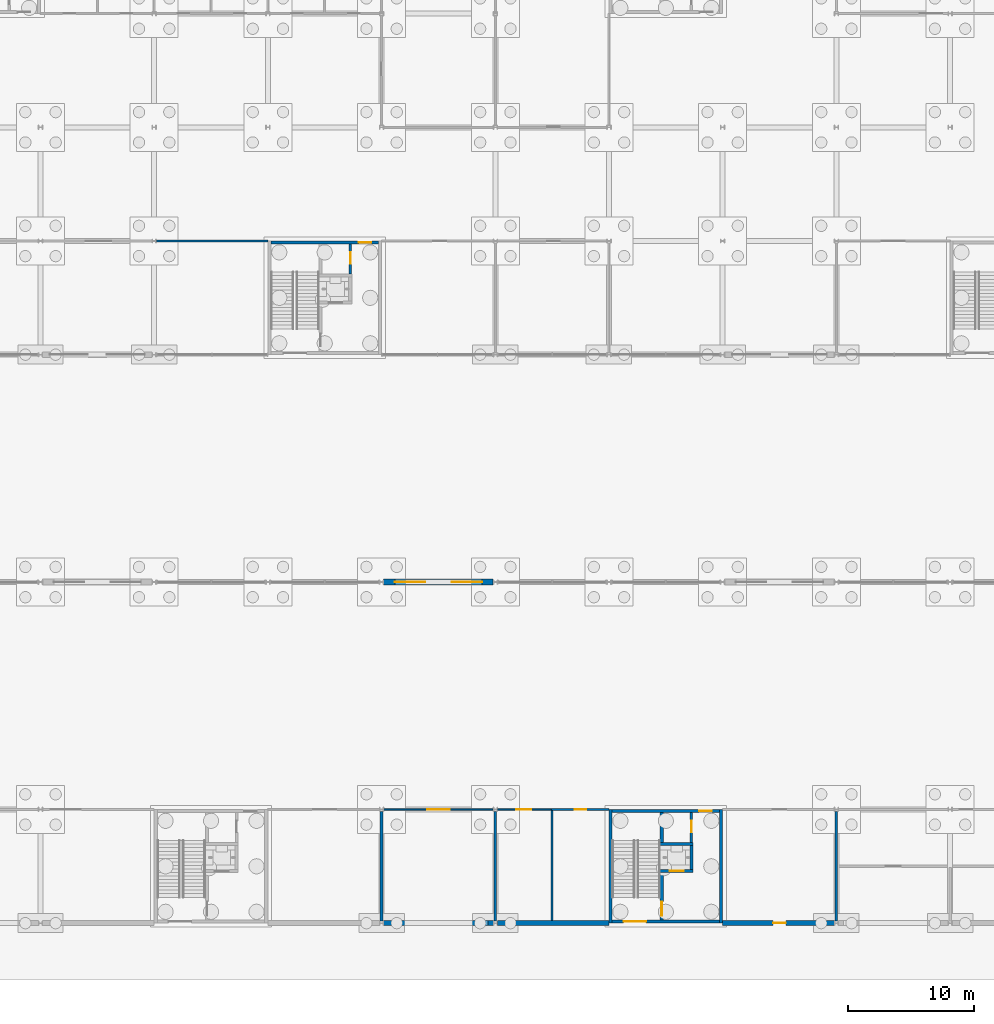
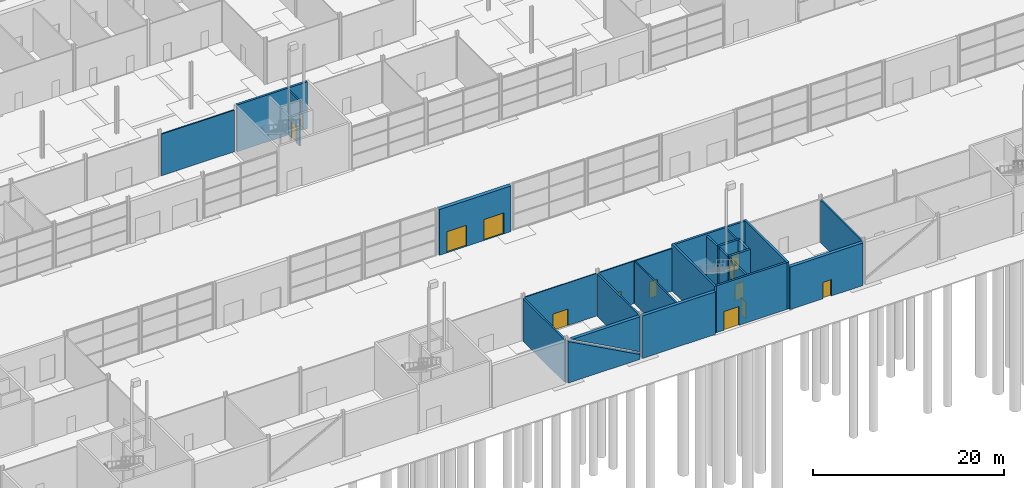
# One storey, part 63 of 97: 24 walls, 13 doors, 13 openings.
"""IFC4 building model written with IfcOpenShell, lengths in metres."""

from ifc_helpers import new_model, si_unit, direction, frame, frame_2d, origin, place, context, subcontext, project, spatial, polyline, rectangle, outline, extrude, material, layer, layer_set, type_object, element, fill, save


model = new_model("IFC4")

# Units and contexts
model_context = context("Model", 3, precision=1e-05, world=origin(), true_north=direction((0.0, 1.0)))
body_context = subcontext(model_context, "Body", "Model", "MODEL_VIEW")
ifc_project = project(units=[si_unit("LENGTHUNIT", "METRE"), si_unit("AREAUNIT", "SQUARE_METRE"), si_unit("VOLUMEUNIT", "CUBIC_METRE"), si_unit("PLANEANGLEUNIT", "RADIAN"), si_unit("MASSUNIT", "GRAM", prefix="KILO")], contexts=[model_context])

# Site, building, storey
site_placement = place(None, origin())
site = spatial("IfcSite", under=ifc_project, at=site_placement, CompositionType="ELEMENT")
building_placement = place(site_placement, origin())
building = spatial("IfcBuilding", under=site, at=building_placement, Name="Corbel Yard City Hall", CompositionType="ELEMENT")
storey_placement = place(building_placement, origin())
storey = spatial("IfcBuildingStorey", under=building, at=storey_placement, Name="L00", CompositionType="ELEMENT", Elevation=0.0)

# Walls
ifc_material_1 = material(Name="Concrete N50 (50 MPa)", Category="concrete")
ifc_layer_1 = layer(ifc_material_1, 0.25)
ifc_layer_set_1 = layer_set([ifc_layer_1], Name="Concrete N50 (50 MPa)")
wall_type_1 = type_object("IfcWallType", Name="Core cell wall 250", PredefinedType="SHEAR", material=ifc_layer_set_1)
for number, where, z_axis, x_axis, name in (
    (1, (81.125, 0.0, 0.0), (0.0, 0.0, 1.0), (0.0, 1.0, 0.0), "Core PC-S2 west wall"),
    (2, (89.875, 0.0, 0.0), (0.0, 0.0, 1.0), (0.0, 1.0, 0.0), "Core PC-S2 east wall"),
):
    element("IfcWall", number, at=place(storey_placement, frame(where, z_axis=z_axis, x_axis=x_axis)), inside=storey, type_object=wall_type_1, Name=name, PredefinedType="SHEAR", context=body_context, shape_type="SweptSolid", body=[
        extrude(rectangle(XDim=9.0, YDim=0.25, at=frame_2d((4.5, 0.0))), origin(), (0.0, 0.0, 1.0), 6.0),
    ])

# Wall, opening, door
wall_1_placement = place(storey_placement, frame((81.25, 0.125, 0.0), z_axis=(0.0, 0.0, 1.0), x_axis=(1.0, 0.0, 0.0)))
wall_1 = element("IfcWall", 3, at=wall_1_placement, inside=storey, type_object=wall_type_1, Name="Core PC-S2 south wall", PredefinedType="SHEAR", context=body_context, shape_type="SweptSolid", body=[
    extrude(rectangle(XDim=8.5, YDim=0.25, at=frame_2d((4.25, 0.0))), origin(), (0.0, 0.0, 1.0), 6.0),
])
opening_1_placement = place(wall_1_placement, frame((0.89990234375, 0.0, 0.0)))
opening_1 = element("IfcOpeningElement", 4, at=opening_1_placement, cuts=wall_1, Name="Opening L00-032", PredefinedType="OPENING", context=body_context, shape_type="SweptSolid", body=[
    extrude(rectangle(XDim=1.800048828125, YDim=2.39990234375, at=frame_2d((0.89990234375, 1.199951171875))), frame((0.0, 0.135009765625, 0.0), z_axis=(0.0, -1.0, 0.0), x_axis=(1.0, 0.0, 0.0)), (0.0, 0.0, 1.0), 0.27001953125),
])
ifc_material_2 = material(Name="Steel Grade G250, insulated infill", Category="steel")
door_type_1 = type_object("IfcDoorType", Name="XD2", OperationType="DOUBLE_DOOR_SINGLE_SWING", PredefinedType="DOOR", material=ifc_material_2)
door_1_placement = place(opening_1_placement, frame((1.800048828125, 0.0, 0.0), z_axis=(0.0, 0.0, 1.0), x_axis=(-1.0, 0.0, 0.0)))
door_1 = element("IfcDoor", 5, at=door_1_placement, inside=storey, type_object=door_type_1, Name="Stair exit door PC-S2", OperationType="DOUBLE_DOOR_SINGLE_SWING", OverallHeight=2.39990234375, OverallWidth=1.800048828125, PredefinedType="DOOR", context=body_context, shape_type="SweptSolid", body=[
    extrude(rectangle(XDim=1.800048828125, YDim=2.39990234375, at=frame_2d((0.89990234375, 1.199951171875))), frame((0.0, 0.02490234375, 0.0), z_axis=(0.0, -1.0, 0.0), x_axis=(1.0, 0.0, 0.0)), (0.0, 0.0, 1.0), 0.050048828125),
])
fill(opening_1, door_1)

wall_2_placement = place(storey_placement, frame((81.25, 8.875, 0.0), z_axis=(0.0, 0.0, 1.0), x_axis=(1.0, 0.0, 0.0)))
wall_2 = element("IfcWall", 6, at=wall_2_placement, inside=storey, type_object=wall_type_1, Name="Core PC-S2 north wall", PredefinedType="SHEAR", context=body_context, shape_type="SweptSolid", body=[
    extrude(rectangle(XDim=8.5, YDim=0.25, at=frame_2d((4.25, 0.0))), origin(), (0.0, 0.0, 1.0), 6.0),
])
opening_2_placement = place(wall_2_placement, frame((6.887451171875, 0.0, 0.0)))
opening_2 = element("IfcOpeningElement", 7, at=opening_2_placement, cuts=wall_2, Name="Opening L00-077", PredefinedType="OPENING", context=body_context, shape_type="SweptSolid", body=[
    extrude(rectangle(XDim=1.0, YDim=2.10009765625, at=frame_2d((0.5, 1.050048828125))), frame((0.0, 0.135009765625, 0.0), z_axis=(0.0, -1.0, 0.0), x_axis=(1.0, 0.0, 0.0)), (0.0, 0.0, 1.0), 0.27001953125),
])
ifc_material_3 = material(Name="Steel Grade G250", Category="steel")
door_type_2 = type_object("IfcDoorType", Name="FS1", OperationType="SINGLE_SWING_LEFT", PredefinedType="DOOR", material=ifc_material_3)
door_2_placement = place(opening_2_placement, frame((1.0, 0.0, 0.0), z_axis=(0.0, 0.0, 1.0), x_axis=(-1.0, 0.0, 0.0)))
door_2 = element("IfcDoor", 8, at=door_2_placement, inside=storey, type_object=door_type_2, Name="Door Lift Lobby", OperationType="SINGLE_SWING_RIGHT", OverallHeight=2.10009765625, OverallWidth=1.0, PredefinedType="DOOR", context=body_context, shape_type="SweptSolid", body=[
    extrude(rectangle(XDim=1.0, YDim=2.10009765625, at=frame_2d((0.5, 1.050048828125))), frame((0.0, 0.02490234375, 0.0), z_axis=(0.0, -1.0, 0.0), x_axis=(1.0, 0.0, 0.0)), (0.0, 0.0, 1.0), 0.050048828125),
])
fill(opening_2, door_2)

wall_3_placement = place(storey_placement, frame((54.25, 53.875, 0.0), z_axis=(0.0, 0.0, 1.0), x_axis=(1.0, 0.0, 0.0)))
wall_3 = element("IfcWall", 9, at=wall_3_placement, inside=storey, type_object=wall_type_1, Name="Core PC-M2 north wall", PredefinedType="SHEAR", context=body_context, shape_type="SweptSolid", body=[
    extrude(rectangle(XDim=8.5, YDim=0.25, at=frame_2d((4.25, 0.0))), origin(), (0.0, 0.0, 1.0), 6.0),
])
opening_3_placement = place(wall_3_placement, frame((6.949951171875, 0.0, 0.0)))
opening_3 = element("IfcOpeningElement", 10, at=opening_3_placement, cuts=wall_3, Name="Opening L00-119", PredefinedType="OPENING", context=body_context, shape_type="SweptSolid", body=[
    extrude(rectangle(XDim=1.0, YDim=2.10009765625, at=frame_2d((0.5, 1.050048828125))), frame((0.0, 0.135009765625, 0.0), z_axis=(0.0, -1.0, 0.0), x_axis=(1.0, 0.0, 0.0)), (0.0, 0.0, 1.0), 0.27001953125),
])
door_3_placement = place(opening_3_placement, frame((1.0, 0.0, 0.0), z_axis=(0.0, 0.0, 1.0), x_axis=(-1.0, 0.0, 0.0)))
door_3 = element("IfcDoor", 11, at=door_3_placement, inside=storey, type_object=door_type_2, Name="Door Lift Lobby", OperationType="SINGLE_SWING_RIGHT", OverallHeight=2.10009765625, OverallWidth=1.0, PredefinedType="DOOR", context=body_context, shape_type="SweptSolid", body=[
    extrude(rectangle(XDim=1.0, YDim=2.10009765625, at=frame_2d((0.5, 1.050048828125))), frame((0.0, 0.02490234375, 0.0), z_axis=(0.0, -1.0, 0.0), x_axis=(1.0, 0.0, 0.0)), (0.0, 0.0, 1.0), 0.050048828125),
])
fill(opening_3, door_3)

# Wall, openings, doors
ifc_material_4 = material(Name="Sandstone cladding", Category="masonry")
ifc_layer_2 = layer(ifc_material_4, 0.06005859375)
ifc_material_5 = material(Name="Air cavity", Category="air")
ifc_layer_3 = layer(ifc_material_5, 0.0400390625)
ifc_material_6 = material(Name="Concrete N40 (40 MPa)", Category="concrete")
ifc_layer_4 = layer(ifc_material_6, 0.25)
ifc_material_7 = material(Name="Mineral wool", Category="insulation")
ifc_layer_5 = layer(ifc_material_7, 0.10009765625)
ifc_layer_set_2 = layer_set([ifc_layer_2, ifc_layer_3, ifc_layer_4, ifc_layer_5], Name="Concrete N40 (40 MPa)")
wall_type_2 = type_object("IfcWallType", Name="EW2", PredefinedType="SOLIDWALL", material=ifc_layer_set_2)
wall_4_placement = place(storey_placement, frame((63.16357421875, 27.0, 0.0), z_axis=(0.0, 0.0, 1.0), x_axis=(1.0, 0.0, 0.0)))
wall_4 = element("IfcWall", 12, at=wall_4_placement, inside=storey, type_object=wall_type_2, Name="Entrance pier wall", PredefinedType="SOLIDWALL", context=body_context, shape_type="SweptSolid", body=[
    extrude(rectangle(XDim=8.6728515625, YDim=0.449951171875, at=frame_2d((4.33642578125, 0.0))), origin(), (0.0, 0.0, 1.0), 5.85009765625),
])
opening_4_placement = place(wall_4_placement, frame((0.886474609375, 0.0, 0.0)))
opening_4 = element("IfcOpeningElement", 13, at=opening_4_placement, cuts=wall_4, Name="Opening L00-003", PredefinedType="OPENING", context=body_context, shape_type="SweptSolid", body=[
    extrude(rectangle(XDim=2.39990234375, YDim=2.699951171875, at=frame_2d((1.199951171875, 1.35009765625))), frame((0.0, 0.23486328125, 0.0), z_axis=(0.0, -1.0, 0.0), x_axis=(1.0, 0.0, 0.0)), (0.0, 0.0, 1.0), 0.469970703125),
])
opening_5_placement = place(wall_4_placement, frame((5.386474609375, 0.0, 0.0)))
opening_5 = element("IfcOpeningElement", 14, at=opening_5_placement, cuts=wall_4, Name="Opening L00-004", PredefinedType="OPENING", context=body_context, shape_type="SweptSolid", body=[
    extrude(rectangle(XDim=2.39990234375, YDim=2.699951171875, at=frame_2d((1.199951171875, 1.35009765625))), frame((0.0, 0.23486328125, 0.0), z_axis=(0.0, -1.0, 0.0), x_axis=(1.0, 0.0, 0.0)), (0.0, 0.0, 1.0), 0.469970703125),
])
ifc_material_8 = material(Name="Aluminium frame, toughened laminated glass", Category="aluminium")
door_type_3 = type_object("IfcDoorType", Name="XD1", OperationType="DOUBLE_DOOR_SINGLE_SWING", PredefinedType="DOOR", material=ifc_material_8)
door_4_placement = place(opening_4_placement, origin())
door_4 = element("IfcDoor", 15, at=door_4_placement, inside=storey, type_object=door_type_3, Name="Public Hall entrance 2 door 1", OperationType="DOUBLE_DOOR_SINGLE_SWING", OverallHeight=2.699951171875, OverallWidth=2.39990234375, PredefinedType="DOOR", context=body_context, shape_type="SweptSolid", body=[
    extrude(rectangle(XDim=2.39990234375, YDim=2.699951171875, at=frame_2d((1.199951171875, 1.35009765625))), frame((0.0, 0.02490234375, 0.0), z_axis=(0.0, -1.0, 0.0), x_axis=(1.0, 0.0, 0.0)), (0.0, 0.0, 1.0), 0.050048828125),
])
fill(opening_4, door_4)
door_5_placement = place(opening_5_placement, origin())
door_5 = element("IfcDoor", 16, at=door_5_placement, inside=storey, type_object=door_type_3, Name="Public Hall entrance 2 door 2", OperationType="DOUBLE_DOOR_SINGLE_SWING", OverallHeight=2.699951171875, OverallWidth=2.39990234375, PredefinedType="DOOR", context=body_context, shape_type="SweptSolid", body=[
    extrude(rectangle(XDim=2.39990234375, YDim=2.699951171875, at=frame_2d((1.199951171875, 1.35009765625))), frame((0.0, 0.02490234375, 0.0), z_axis=(0.0, -1.0, 0.0), x_axis=(1.0, 0.0, 0.0)), (0.0, 0.0, 1.0), 0.050048828125),
])
fill(opening_5, door_5)

# Walls
ifc_material_9 = material(Name="Gypsum plasterboard", Category="gypsum")
ifc_layer_6 = layer(ifc_material_9, 0.031982421875)
ifc_layer_7 = layer(ifc_material_5, 0.133056640625)
ifc_material_10 = material(Name="Concrete block", Category="concrete")
ifc_layer_8 = layer(ifc_material_10, 0.18994140625)
ifc_material_11 = material(Name="Cement render", Category="render")
ifc_layer_9 = layer(ifc_material_11, 0.0400390625)
ifc_material_12 = material(Name="Acoustic sealant", Category="sealant")
ifc_layer_10 = layer(ifc_material_12, 0.0048828125)
ifc_layer_set_3 = layer_set([ifc_layer_6, ifc_layer_7, ifc_layer_8, ifc_layer_9, ifc_layer_10], Name="Concrete block")
wall_type_3 = type_object("IfcWallType", Name="EW3", PredefinedType="SOLIDWALL", material=ifc_layer_set_3)
wall_5_placement = place(storey_placement, frame((63.157470703125, 0.0, 0.0), z_axis=(0.0, 0.0, 1.0), x_axis=(1.0, 0.0, 0.0)))
element("IfcWall", 17, at=wall_5_placement, inside=storey, type_object=wall_type_3, Name="Acoustic wall", PredefinedType="SOLIDWALL", context=body_context, shape_type="SweptSolid", body=[
    extrude(outline(polyline([(8.68505859375, 0.0), (0.0, 0.0), (0.0, 5.322021484375), (8.610595703125, 0.662353515625), (8.68505859375, 0.800048828125), (8.68505859375, 0.0)])), frame((0.0, 0.199951171875, 0.0), z_axis=(0.0, -1.0, 0.0), x_axis=(1.0, 0.0, 0.0)), (0.0, 0.0, 1.0), 0.39990234375),
])
wall_6_placement = place(storey_placement, frame((63.157470703125, 0.0, 0.0), z_axis=(0.0, 0.0, 1.0), x_axis=(1.0, 0.0, 0.0)))
element("IfcWall", 18, at=wall_6_placement, inside=storey, type_object=wall_type_3, Name="Acoustic wall", PredefinedType="SOLIDWALL", context=body_context, shape_type="SweptSolid", body=[
    extrude(outline(polyline([(8.68505859375, 5.444091796875), (8.68505859375, 0.97802734375), (0.432373046875, 5.444091796875), (8.68505859375, 5.444091796875)])), frame((0.0, 0.199951171875, 0.0), z_axis=(0.0, -1.0, 0.0), x_axis=(1.0, 0.0, 0.0)), (0.0, 0.0, 1.0), 0.39990234375),
])
wall_7_placement = place(storey_placement, frame((72.157470703125, 0.0, 0.0), z_axis=(0.0, 0.0, 1.0), x_axis=(1.0, 0.0, 0.0)))
element("IfcWall", 19, at=wall_7_placement, inside=storey, type_object=wall_type_3, Name="Acoustic wall", PredefinedType="SOLIDWALL", context=body_context, shape_type="SweptSolid", body=[
    extrude(rectangle(XDim=8.842529296875, YDim=0.39990234375, at=frame_2d((4.42138671875, 0.0))), origin(), (0.0, 0.0, 1.0), 5.444091796875),
])

# Wall, opening, door
wall_8_placement = place(storey_placement, frame((90.0, 0.0, 0.0), z_axis=(0.0, 0.0, 1.0), x_axis=(1.0, 0.0, 0.0)))
wall_8 = element("IfcWall", 20, at=wall_8_placement, inside=storey, type_object=wall_type_3, Name="Acoustic wall", PredefinedType="SOLIDWALL", context=body_context, shape_type="SweptSolid", body=[
    extrude(rectangle(XDim=8.842529296875, YDim=0.39990234375, at=frame_2d((4.42138671875, 0.0))), origin(), (0.0, 0.0, 1.0), 5.444091796875),
])
opening_6_placement = place(wall_8_placement, frame((4.0, 0.0, 0.0)))
opening_6 = element("IfcOpeningElement", 21, at=opening_6_placement, cuts=wall_8, Name="Opening L00-035", PredefinedType="OPENING", context=body_context, shape_type="SweptSolid", body=[
    extrude(rectangle(XDim=1.0, YDim=2.10009765625, at=frame_2d((0.5, 1.050048828125))), frame((0.0, 0.2099609375, 0.0), z_axis=(0.0, -1.0, 0.0), x_axis=(1.0, 0.0, 0.0)), (0.0, 0.0, 1.0), 0.419921875),
])
door_type_4 = type_object("IfcDoorType", Name="XD3", OperationType="SINGLE_SWING_LEFT", PredefinedType="DOOR", material=ifc_material_2)
door_6_placement = place(opening_6_placement, frame((1.0, 0.0, 0.0), z_axis=(0.0, 0.0, 1.0), x_axis=(-1.0, 0.0, 0.0)))
door_6 = element("IfcDoor", 22, at=door_6_placement, inside=storey, type_object=door_type_4, Name="Fire control room door L00-035", OperationType="SINGLE_SWING_RIGHT", OverallHeight=2.10009765625, OverallWidth=1.0, PredefinedType="DOOR", context=body_context, shape_type="SweptSolid", body=[
    extrude(rectangle(XDim=1.0, YDim=2.10009765625, at=frame_2d((0.5, 1.050048828125))), frame((0.0, 0.02490234375, 0.0), z_axis=(0.0, -1.0, 0.0), x_axis=(1.0, 0.0, 0.0)), (0.0, 0.0, 1.0), 0.050048828125),
])
fill(opening_6, door_6)

ifc_layer_11 = layer(ifc_material_6, 0.25)
ifc_layer_set_4 = layer_set([ifc_layer_11], Name="Concrete N40 (40 MPa)")
wall_type_4 = type_object("IfcWallType", Name="IW2", PredefinedType="SOLIDWALL", material=ifc_layer_set_4)
wall_9_placement = place(storey_placement, frame((85.175048828125, 0.25, 0.0), z_axis=(0.0, 0.0, 1.0), x_axis=(0.0, 1.0, 0.0)))
wall_9 = element("IfcWall", 23, at=wall_9_placement, inside=storey, type_object=wall_type_4, Name="Stair enclosure wall", PredefinedType="SOLIDWALL", context=body_context, shape_type="SweptSolid", body=[
    extrude(rectangle(XDim=8.5, YDim=0.25, at=frame_2d((4.25, 0.0))), origin(), (0.0, 0.0, 1.0), 5.75),
])
opening_7_placement = place(wall_9_placement, frame((0.35009765625, 0.0, 0.0)))
opening_7 = element("IfcOpeningElement", 24, at=opening_7_placement, cuts=wall_9, Name="Opening L00-076", PredefinedType="OPENING", context=body_context, shape_type="SweptSolid", body=[
    extrude(rectangle(XDim=1.10009765625, YDim=2.10009765625, at=frame_2d((0.550048828125, 1.050048828125))), frame((0.0, 0.135009765625, 0.0), z_axis=(0.0, -1.0, 0.0), x_axis=(1.0, 0.0, 0.0)), (0.0, 0.0, 1.0), 0.27001953125),
])
door_type_5 = type_object("IfcDoorType", Name="FS11", OperationType="SINGLE_SWING_LEFT", PredefinedType="DOOR", material=ifc_material_3)
door_7_placement = place(opening_7_placement, origin())
door_7 = element("IfcDoor", 25, at=door_7_placement, inside=storey, type_object=door_type_5, Name="Door Exit Stair 3", OperationType="SINGLE_SWING_LEFT", OverallHeight=2.10009765625, OverallWidth=1.10009765625, PredefinedType="DOOR", context=body_context, shape_type="SweptSolid", body=[
    extrude(rectangle(XDim=1.10009765625, YDim=2.10009765625, at=frame_2d((0.550048828125, 1.050048828125))), frame((0.0, 0.02490234375, 0.0), z_axis=(0.0, -1.0, 0.0), x_axis=(1.0, 0.0, 0.0)), (0.0, 0.0, 1.0), 0.050048828125),
])
fill(opening_7, door_7)

wall_10_placement = place(storey_placement, frame((85.050048828125, 4.125, -1.39990234375), z_axis=(0.0, 0.0, 1.0), x_axis=(1.0, 0.0, 0.0)))
wall_10 = element("IfcWall", 26, at=wall_10_placement, inside=storey, type_object=wall_type_4, Name="Lift LP3 shaft wall", PredefinedType="SOLIDWALL", context=body_context, shape_type="SweptSolid", body=[
    extrude(rectangle(XDim=2.599853515625, YDim=0.25, at=frame_2d((1.2998046875, 0.0))), origin(), (0.0, 0.0, 1.0), 7.39990234375),
])
opening_8_placement = place(wall_10_placement, frame((0.75, 0.0, 1.39990234375)))
opening_8 = element("IfcOpeningElement", 27, at=opening_8_placement, cuts=wall_10, Name="Opening L00-059", PredefinedType="OPENING", context=body_context, shape_type="SweptSolid", body=[
    extrude(rectangle(XDim=1.10009765625, YDim=2.10009765625, at=frame_2d((0.550048828125, 1.050048828125))), frame((0.0, 0.135009765625, 0.0), z_axis=(0.0, -1.0, 0.0), x_axis=(1.0, 0.0, 0.0)), (0.0, 0.0, 1.0), 0.27001953125),
])
ifc_material_13 = material(Name="Stainless steel Grade 316", Category="steel")
door_type_6 = type_object("IfcDoorType", Name="LD1", OperationType="DOUBLE_DOOR_SLIDING", PredefinedType="DOOR", material=ifc_material_13)
door_8_placement = place(opening_8_placement, origin())
door_8 = element("IfcDoor", 28, at=door_8_placement, inside=storey, type_object=door_type_6, Name="Lift LP3 landing door", OperationType="DOUBLE_DOOR_SLIDING", OverallHeight=2.10009765625, OverallWidth=1.10009765625, PredefinedType="DOOR", context=body_context, shape_type="SweptSolid", body=[
    extrude(rectangle(XDim=1.10009765625, YDim=2.10009765625, at=frame_2d((0.550048828125, 1.050048828125))), frame((0.0, 0.02490234375, 0.0), z_axis=(0.0, -1.0, 0.0), x_axis=(1.0, 0.0, 0.0)), (0.0, 0.0, 1.0), 0.050048828125),
])
fill(opening_8, door_8)

# Walls
wall_11_placement = place(storey_placement, frame((85.050048828125, 6.27490234375, -1.39990234375), z_axis=(0.0, 0.0, 1.0), x_axis=(1.0, 0.0, 0.0)))
element("IfcWall", 29, at=wall_11_placement, inside=storey, type_object=wall_type_4, Name="Lift LP3 shaft wall", PredefinedType="SOLIDWALL", context=body_context, shape_type="SweptSolid", body=[
    extrude(rectangle(XDim=2.599853515625, YDim=0.25, at=frame_2d((1.2998046875, 0.0))), origin(), (0.0, 0.0, 1.0), 7.39990234375),
])
wall_12_placement = place(storey_placement, frame((87.52490234375, 4.25, -1.39990234375), z_axis=(0.0, 0.0, 1.0), x_axis=(0.0, 1.0, 0.0)))
element("IfcWall", 30, at=wall_12_placement, inside=storey, type_object=wall_type_4, Name="Lift LP3 shaft wall", PredefinedType="SOLIDWALL", context=body_context, shape_type="SweptSolid", body=[
    extrude(rectangle(XDim=1.89990234375, YDim=0.25, at=frame_2d((0.949951171875, 0.0))), origin(), (0.0, 0.0, 1.0), 7.39990234375),
])

# Wall, opening, door
ifc_layer_12 = layer(ifc_material_9, 0.028076171875)
ifc_material_14 = material(Name="Steel Grade G550 (550 MPa yield)", Category="steel")
ifc_layer_13 = layer(ifc_material_14, 0.06396484375)
ifc_layer_14 = layer(ifc_material_9, 0.028076171875)
ifc_layer_set_5 = layer_set([ifc_layer_12, ifc_layer_13, ifc_layer_14], Name="Steel Grade G550 (550 MPa yield)")
wall_type_5 = type_object("IfcWallType", Name="PT1", PredefinedType="PARTITIONING", material=ifc_layer_set_5)
wall_13_placement = place(storey_placement, frame((63.16357421875, 9.0, 0.0), z_axis=(0.0, 0.0, 1.0), x_axis=(1.0, 0.0, 0.0)))
wall_13 = element("IfcWall", 31, at=wall_13_placement, inside=storey, type_object=wall_type_5, Name="Partition", PredefinedType="PARTITIONING", context=body_context, shape_type="SweptSolid", body=[
    extrude(rectangle(XDim=8.6728515625, YDim=0.1201171875, at=frame_2d((4.33642578125, 0.0))), origin(), (0.0, 0.0, 1.0), 5.444091796875),
])
opening_9_placement = place(wall_13_placement, frame((3.4365234375, 0.0, 0.0)))
opening_9 = element("IfcOpeningElement", 32, at=opening_9_placement, cuts=wall_13, Name="Opening L00-088", PredefinedType="OPENING", context=body_context, shape_type="SweptSolid", body=[
    extrude(rectangle(XDim=1.800048828125, YDim=2.10009765625, at=frame_2d((0.89990234375, 1.050048828125))), frame((0.0, 0.070068359375, 0.0), z_axis=(0.0, -1.0, 0.0), x_axis=(1.0, 0.0, 0.0)), (0.0, 0.0, 1.0), 0.14013671875),
])
ifc_material_15 = material(Name="Timber", Category="wood")
door_type_7 = type_object("IfcDoorType", Name="D3", OperationType="DOUBLE_DOOR_SINGLE_SWING", PredefinedType="DOOR", material=ifc_material_15)
door_9_placement = place(opening_9_placement, origin())
door_9 = element("IfcDoor", 33, at=door_9_placement, inside=storey, type_object=door_type_7, Name="Door Men's WC Block", OperationType="DOUBLE_DOOR_SINGLE_SWING", OverallHeight=2.10009765625, OverallWidth=1.800048828125, PredefinedType="DOOR", context=body_context, shape_type="SweptSolid", body=[
    extrude(rectangle(XDim=1.800048828125, YDim=2.10009765625, at=frame_2d((0.89990234375, 1.050048828125))), frame((0.0, 0.02490234375, 0.0), z_axis=(0.0, -1.0, 0.0), x_axis=(1.0, 0.0, 0.0)), (0.0, 0.0, 1.0), 0.050048828125),
])
fill(opening_9, door_9)

wall_14_placement = place(storey_placement, frame((72.16357421875, 9.0, 0.0), z_axis=(0.0, 0.0, 1.0), x_axis=(1.0, 0.0, 0.0)))
wall_14 = element("IfcWall", 34, at=wall_14_placement, inside=storey, type_object=wall_type_5, Name="Partition", PredefinedType="PARTITIONING", context=body_context, shape_type="SweptSolid", body=[
    extrude(rectangle(XDim=4.25634765625, YDim=0.1201171875, at=frame_2d((2.128173828125, 0.0))), origin(), (0.0, 0.0, 1.0), 5.444091796875),
])
opening_10_placement = place(wall_14_placement, frame((1.486572265625, 0.0, 0.0)))
opening_10 = element("IfcOpeningElement", 35, at=opening_10_placement, cuts=wall_14, Name="Opening L00-089", PredefinedType="OPENING", context=body_context, shape_type="SweptSolid", body=[
    extrude(rectangle(XDim=1.199951171875, YDim=2.10009765625, at=frame_2d((0.60009765625, 1.050048828125))), frame((0.0, 0.070068359375, 0.0), z_axis=(0.0, -1.0, 0.0), x_axis=(1.0, 0.0, 0.0)), (0.0, 0.0, 1.0), 0.14013671875),
])
door_type_8 = type_object("IfcDoorType", Name="D7", OperationType="SINGLE_SWING_LEFT", PredefinedType="DOOR", material=ifc_material_15)
door_10_placement = place(opening_10_placement, frame((1.199951171875, 0.0, 0.0), z_axis=(0.0, 0.0, 1.0), x_axis=(-1.0, 0.0, 0.0)))
door_10 = element("IfcDoor", 36, at=door_10_placement, inside=storey, type_object=door_type_8, Name="Door Accessible WC Suite", OperationType="SINGLE_SWING_RIGHT", OverallHeight=2.10009765625, OverallWidth=1.199951171875, PredefinedType="DOOR", context=body_context, shape_type="SweptSolid", body=[
    extrude(rectangle(XDim=1.199951171875, YDim=2.10009765625, at=frame_2d((0.60009765625, 1.050048828125))), frame((0.0, 0.02490234375, 0.0), z_axis=(0.0, -1.0, 0.0), x_axis=(1.0, 0.0, 0.0)), (0.0, 0.0, 1.0), 0.050048828125),
])
fill(opening_10, door_10)

ifc_layer_15 = layer(ifc_material_9, 0.031982421875)
ifc_layer_16 = layer(ifc_material_14, 0.095947265625)
ifc_layer_17 = layer(ifc_material_9, 0.031982421875)
ifc_layer_set_6 = layer_set([ifc_layer_15, ifc_layer_16, ifc_layer_17], Name="Steel Grade G550 (550 MPa yield)")
wall_type_6 = type_object("IfcWallType", Name="PT3", PredefinedType="PARTITIONING", material=ifc_layer_set_6)
wall_15_placement = place(storey_placement, frame((76.419921875, 9.0, 0.0), z_axis=(0.0, 0.0, 1.0), x_axis=(1.0, 0.0, 0.0)))
wall_15 = element("IfcWall", 37, at=wall_15_placement, inside=storey, type_object=wall_type_6, Name="Fire-resisting wall", PredefinedType="PARTITIONING", context=body_context, shape_type="SweptSolid", body=[
    extrude(rectangle(XDim=4.580078125, YDim=0.159912109375, at=frame_2d((2.2900390625, 0.0))), origin(), (0.0, 0.0, 1.0), 5.444091796875),
])
opening_11_placement = place(wall_15_placement, frame((1.8701171875, 0.0, 0.0)))
opening_11 = element("IfcOpeningElement", 38, at=opening_11_placement, cuts=wall_15, Name="Opening L00-090", PredefinedType="OPENING", context=body_context, shape_type="SweptSolid", body=[
    extrude(rectangle(XDim=0.919921875, YDim=2.10009765625, at=frame_2d((0.4599609375, 1.050048828125))), frame((0.0, 0.08984375, 0.0), z_axis=(0.0, -1.0, 0.0), x_axis=(1.0, 0.0, 0.0)), (0.0, 0.0, 1.0), 0.179931640625),
])
door_type_9 = type_object("IfcDoorType", Name="FD5", OperationType="SINGLE_SWING_RIGHT", PredefinedType="DOOR", material=ifc_material_3)
door_11_placement = place(opening_11_placement, frame((0.919921875, 0.0, 0.0), z_axis=(0.0, 0.0, 1.0), x_axis=(-1.0, 0.0, 0.0)))
door_11 = element("IfcDoor", 39, at=door_11_placement, inside=storey, type_object=door_type_9, Name="Door Cleaners' Store and Service Room", OperationType="SINGLE_SWING_RIGHT", OverallHeight=2.10009765625, OverallWidth=0.919921875, PredefinedType="DOOR", context=body_context, shape_type="SweptSolid", body=[
    extrude(rectangle(XDim=0.919921875, YDim=2.10009765625, at=frame_2d((0.4599609375, 1.050048828125))), frame((0.0, 0.02490234375, 0.0), z_axis=(0.0, -1.0, 0.0), x_axis=(1.0, 0.0, 0.0)), (0.0, 0.0, 1.0), 0.050048828125),
])
fill(opening_11, door_11)

# Walls
wall_16_placement = place(storey_placement, frame((76.5, 0.199951171875, 0.0), z_axis=(0.0, 0.0, 1.0), x_axis=(0.0, 1.0, 0.0)))
element("IfcWall", 40, at=wall_16_placement, inside=storey, type_object=wall_type_6, Name="Fire-resisting wall", PredefinedType="PARTITIONING", context=body_context, shape_type="SweptSolid", body=[
    extrude(rectangle(XDim=8.719970703125, YDim=0.159912109375, at=frame_2d((4.35986328125, 0.0))), origin(), (0.0, 0.0, 1.0), 5.444091796875),
])
wall_17_placement = place(storey_placement, frame((45.16357421875, 54.0, 0.0), z_axis=(0.0, 0.0, 1.0), x_axis=(1.0, 0.0, 0.0)))
element("IfcWall", 41, at=wall_17_placement, inside=storey, type_object=wall_type_6, Name="Fire-resisting wall", PredefinedType="PARTITIONING", context=body_context, shape_type="SweptSolid", body=[
    extrude(rectangle(XDim=8.83642578125, YDim=0.159912109375, at=frame_2d((4.418212890625, 0.0))), origin(), (0.0, 0.0, 1.0), 5.322021484375),
])

# Wall, opening, door
ifc_material_16 = material(Name="Concrete block", Category="concrete")
ifc_layer_18 = layer(ifc_material_16, 0.18994140625)
ifc_layer_set_7 = layer_set([ifc_layer_18], Name="Concrete block")
wall_type_7 = type_object("IfcWallType", Name="PT4", PredefinedType="PARTITIONING", material=ifc_layer_set_7)
wall_18_placement = place(storey_placement, frame((87.52490234375, 6.39990234375, 0.0), z_axis=(0.0, 0.0, 1.0), x_axis=(0.0, 1.0, 0.0)))
wall_18 = element("IfcWall", 42, at=wall_18_placement, inside=storey, type_object=wall_type_7, Name="Fire-resisting block wall", PredefinedType="PARTITIONING", context=body_context, shape_type="SweptSolid", body=[
    extrude(rectangle(XDim=2.35009765625, YDim=0.18994140625, at=frame_2d((1.175048828125, 0.0))), origin(), (0.0, 0.0, 1.0), 5.75),
])
opening_12_placement = place(wall_18_placement, frame((0.777587890625, 0.0, 0.0)))
opening_12 = element("IfcOpeningElement", 43, at=opening_12_placement, cuts=wall_18, Name="Opening L00-078", PredefinedType="OPENING", context=body_context, shape_type="SweptSolid", body=[
    extrude(rectangle(XDim=0.919921875, YDim=2.10009765625, at=frame_2d((0.4599609375, 1.050048828125))), frame((0.0, 0.10498046875, 0.0), z_axis=(0.0, -1.0, 0.0), x_axis=(1.0, 0.0, 0.0)), (0.0, 0.0, 1.0), 0.2099609375),
])
door_type_10 = type_object("IfcDoorType", Name="FS5", OperationType="SINGLE_SWING_RIGHT", PredefinedType="DOOR", material=ifc_material_3)
door_12_placement = place(opening_12_placement, origin())
door_12 = element("IfcDoor", 44, at=door_12_placement, inside=storey, type_object=door_type_10, Name="Door Service Riser", OperationType="SINGLE_SWING_RIGHT", OverallHeight=2.10009765625, OverallWidth=0.919921875, PredefinedType="DOOR", context=body_context, shape_type="SweptSolid", body=[
    extrude(rectangle(XDim=0.919921875, YDim=2.10009765625, at=frame_2d((0.4599609375, 1.050048828125))), frame((0.0, 0.02490234375, 0.0), z_axis=(0.0, -1.0, 0.0), x_axis=(1.0, 0.0, 0.0)), (0.0, 0.0, 1.0), 0.050048828125),
])
fill(opening_12, door_12)

# Wall
wall_19_placement = place(storey_placement, frame((99.0, 0.157470703125, 0.0), z_axis=(0.0, 0.0, 1.0), x_axis=(0.0, 1.0, 0.0)))
element("IfcWall", 45, at=wall_19_placement, inside=storey, type_object=wall_type_7, Name="Fire-resisting block wall", PredefinedType="PARTITIONING", context=body_context, shape_type="SweptSolid", body=[
    extrude(rectangle(XDim=8.678955078125, YDim=0.18994140625, at=frame_2d((4.33935546875, 0.0))), origin(), (0.0, 0.0, 1.0), 5.447021484375),
])

# Wall, opening, door
wall_20_placement = place(storey_placement, frame((60.52490234375, 51.39990234375, 0.0), z_axis=(0.0, 0.0, 1.0), x_axis=(0.0, 1.0, 0.0)))
wall_20 = element("IfcWall", 46, at=wall_20_placement, inside=storey, type_object=wall_type_7, Name="Fire-resisting block wall", PredefinedType="PARTITIONING", context=body_context, shape_type="SweptSolid", body=[
    extrude(rectangle(XDim=2.35009765625, YDim=0.18994140625, at=frame_2d((1.175048828125, 0.0))), origin(), (0.0, 0.0, 1.0), 5.75),
])
opening_13_placement = place(wall_20_placement, frame((0.777587890625, 0.0, 0.0)))
opening_13 = element("IfcOpeningElement", 47, at=opening_13_placement, cuts=wall_20, Name="Opening L00-120", PredefinedType="OPENING", context=body_context, shape_type="SweptSolid", body=[
    extrude(rectangle(XDim=0.919921875, YDim=2.10009765625, at=frame_2d((0.4599609375, 1.050048828125))), frame((0.0, 0.10498046875, 0.0), z_axis=(0.0, -1.0, 0.0), x_axis=(1.0, 0.0, 0.0)), (0.0, 0.0, 1.0), 0.2099609375),
])
door_13_placement = place(opening_13_placement, origin())
door_13 = element("IfcDoor", 48, at=door_13_placement, inside=storey, type_object=door_type_10, Name="Door Service Riser", OperationType="SINGLE_SWING_RIGHT", OverallHeight=2.10009765625, OverallWidth=0.919921875, PredefinedType="DOOR", context=body_context, shape_type="SweptSolid", body=[
    extrude(rectangle(XDim=0.919921875, YDim=2.10009765625, at=frame_2d((0.4599609375, 1.050048828125))), frame((0.0, 0.02490234375, 0.0), z_axis=(0.0, -1.0, 0.0), x_axis=(1.0, 0.0, 0.0)), (0.0, 0.0, 1.0), 0.050048828125),
])
fill(opening_13, door_13)

# Walls
ifc_layer_19 = layer(ifc_material_9, 0.031982421875)
ifc_layer_20 = layer(ifc_material_14, 0.156005859375)
ifc_layer_21 = layer(ifc_material_9, 0.031982421875)
ifc_layer_set_8 = layer_set([ifc_layer_19, ifc_layer_20, ifc_layer_21], Name="Steel Grade G550 (550 MPa yield)")
wall_type_8 = type_object("IfcWallType", Name="PT5", PredefinedType="PLUMBINGWALL", material=ifc_layer_set_8)
for number, where, z_axis, x_axis, name in (
    (49, (63.0, 0.157470703125, 0.0), (0.0, 0.0, 1.0), (0.0, 1.0, 0.0), "Wet wall"),
    (50, (72.0, 0.157470703125, 0.0), (0.0, 0.0, 1.0), (0.0, 1.0, 0.0), "Wet wall"),
):
    element("IfcWall", number, at=place(storey_placement, frame(where, z_axis=z_axis, x_axis=x_axis)), inside=storey, type_object=wall_type_8, Name=name, PredefinedType="PLUMBINGWALL", context=body_context, shape_type="SweptSolid", body=[
        extrude(rectangle(XDim=8.678955078125, YDim=0.219970703125, at=frame_2d((4.33935546875, 0.0))), origin(), (0.0, 0.0, 1.0), 5.447021484375),
    ])

save(model, "model.ifc")
